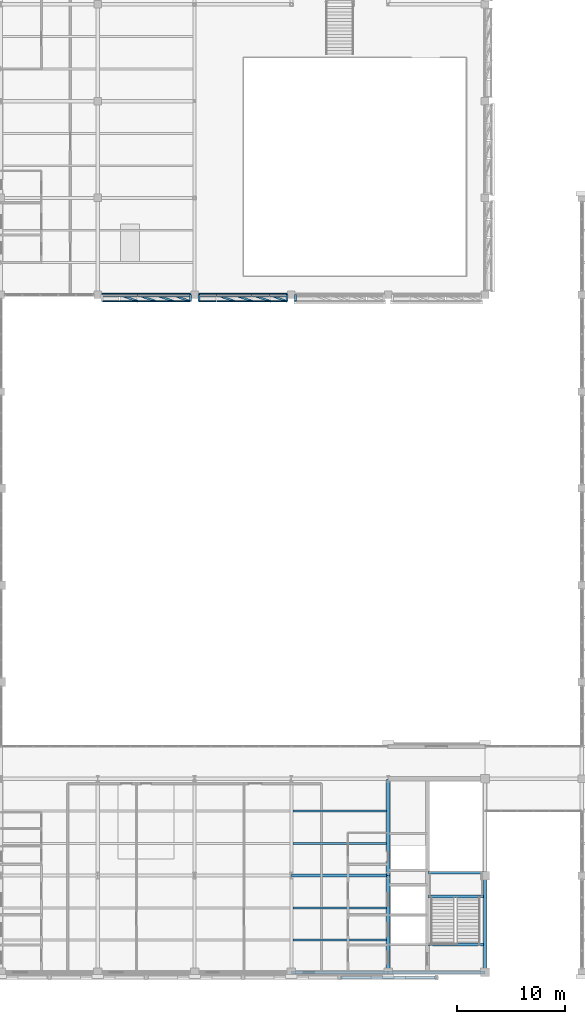
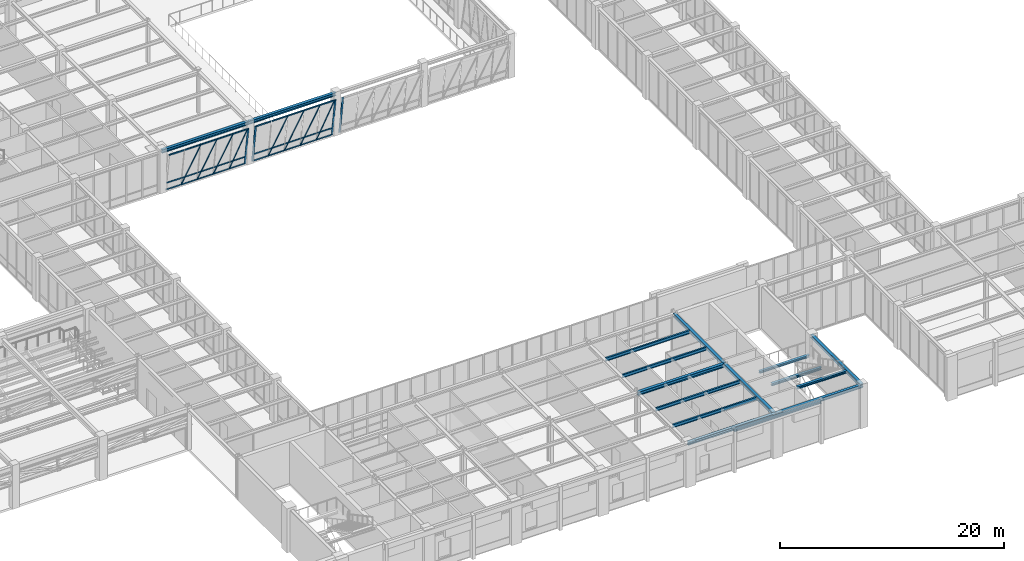
# One storey, part 27 of 92: 42 members, 16 beams, 3 elements without a shape of their own.
"""IFC4 building model written with IfcOpenShell, lengths in metres."""

from ifc_helpers import new_model, si_unit, direction, frame, origin, origin_2d, place, context, subcontext, project, spatial, hollow_rectangle, i_section, extrude, material, material_profile, profile_set, type_object, element, aggregate, save


model = new_model("IFC4")

# Units and contexts
model_context = context("Model", 3, precision=1e-05, world=origin(), true_north=direction((0.0, 1.0)))
body_context = subcontext(model_context, "Body", "Model", "MODEL_VIEW")
ifc_project = project(units=[si_unit("LENGTHUNIT", "METRE"), si_unit("AREAUNIT", "SQUARE_METRE"), si_unit("VOLUMEUNIT", "CUBIC_METRE"), si_unit("PLANEANGLEUNIT", "RADIAN"), si_unit("MASSUNIT", "GRAM", prefix="KILO")], contexts=[model_context])

# Site, building, storey
site_placement = place(None, origin())
site = spatial("IfcSite", under=ifc_project, at=site_placement, CompositionType="ELEMENT")
building_placement = place(site_placement, origin())
building = spatial("IfcBuilding", under=site, at=building_placement, Name="Lykobir Media Centre", CompositionType="ELEMENT")
storey_placement = place(building_placement, frame((0.0, 0.0, 5.39990234375)))
storey = spatial("IfcBuildingStorey", under=building, at=storey_placement, Name="L01", CompositionType="ELEMENT", Elevation=5.39990234375)

# Beams
ifc_material_1 = material(Name="Steel S355", Category="steel")
ifc_material_profile_1 = material_profile(ifc_material_1, i_section(OverallWidth=0.300048828125, OverallDepth=0.35009765625, WebThickness=0.010009765625, FlangeThickness=0.017578125, at=origin_2d()), Name="HEA 360")
ifc_profile_set_1 = profile_set([ifc_material_profile_1], Name="Steel S355")
beam_type_1 = type_object("IfcBeamType", Name="BM-HEA360", PredefinedType="BEAM", material=ifc_profile_set_1)
for number, where, z_axis, x_axis, name in (
    (1, (72.0, 0.0, 4.385009765625), (0.0, 1.0, 0.0), (-1.0, 0.0, 0.0), "Beam BM-L01-0720-0000-0720-0090-978"),
    (2, (72.0, 9.0, 4.385009765625), (0.0, 1.0, 0.0), (-1.0, 0.0, 0.0), "Beam BM-L01-0720-0090-0720-0180-978"),
):
    element("IfcBeam", number, at=place(storey_placement, frame(where, z_axis=z_axis, x_axis=x_axis)), inside=storey, type_object=beam_type_1, Name=name, PredefinedType="BEAM", context=body_context, shape_type="SweptSolid", body=[
        extrude(i_section(OverallWidth=0.300048828125, OverallDepth=0.35009765625, WebThickness=0.010009765625, FlangeThickness=0.017578125, at=origin_2d()), origin(), (0.0, 0.0, 1.0), 9.0),
    ])
ifc_material_profile_2 = material_profile(ifc_material_1, i_section(OverallWidth=0.300048828125, OverallDepth=0.389892578125, WebThickness=0.010986328125, FlangeThickness=0.01904296875, at=origin_2d()), Name="HEA 400")
ifc_profile_set_2 = profile_set([ifc_material_profile_2], Name="Steel S355")
beam_type_2 = type_object("IfcBeamType", Name="BM-HEA400", PredefinedType="BEAM", material=ifc_profile_set_2)
beam_1_placement = place(storey_placement, frame((63.0, 9.0, 4.364990234375), z_axis=(1.0, 0.0, 0.0), x_axis=(0.0, 1.0, 0.0)))
element("IfcBeam", 3, at=beam_1_placement, inside=storey, type_object=beam_type_2, Name="Beam BM-L01-0630-0090-0720-0090-976", PredefinedType="BEAM", context=body_context, shape_type="SweptSolid", body=[
    extrude(i_section(OverallWidth=0.300048828125, OverallDepth=0.389892578125, WebThickness=0.010986328125, FlangeThickness=0.01904296875, at=origin_2d()), origin(), (0.0, 0.0, 1.0), 9.0),
])
ifc_material_profile_3 = material_profile(ifc_material_1, i_section(OverallWidth=0.260009765625, OverallDepth=0.25, WebThickness=0.007568359375, FlangeThickness=0.012451171875, at=origin_2d()), Name="HEA 260")
ifc_profile_set_3 = profile_set([ifc_material_profile_3], Name="Steel S355")
beam_type_3 = type_object("IfcBeamType", Name="BM-ST260", PredefinedType="BEAM", material=ifc_profile_set_3)
beam_2_placement = place(storey_placement, frame((75.72998046875, 9.280029296875, 2.080078125), z_axis=(1.0, 0.0, 0.0), x_axis=(0.0, 1.0, 0.0)))
element("IfcBeam", 4, at=beam_2_placement, inside=storey, type_object=beam_type_3, Name="ST-2 L01 half-landing support beam", PredefinedType="BEAM", context=body_context, shape_type="SweptSolid", body=[
    extrude(i_section(OverallWidth=0.260009765625, OverallDepth=0.25, WebThickness=0.007568359375, FlangeThickness=0.012451171875, at=origin_2d()), origin(), (0.0, 0.0, 1.0), 5.14013671875),
])
ifc_material_profile_4 = material_profile(ifc_material_1, i_section(OverallWidth=0.280029296875, OverallDepth=0.27001953125, WebThickness=0.008056640625, FlangeThickness=0.012939453125, at=origin_2d()), Name="HEA 280")
ifc_profile_set_4 = profile_set([ifc_material_profile_4], Name="Steel S355")
beam_type_4 = type_object("IfcBeamType", Name="BM-ST280", PredefinedType="BEAM", material=ifc_profile_set_4)
for number, where, z_axis, x_axis, name in (
    (5, (75.72998046875, 2.580078125, 4.425048828125), (1.0, 0.0, 0.0), (0.0, 1.0, 0.0), "ST-2 L01 arrival trimmer beam"),
    (6, (75.72998046875, 7.080078125, 2.070068359375), (1.0, 0.0, 0.0), (0.0, 1.0, 0.0), "ST-2 L01 mid-landing trimmer beam"),
):
    element("IfcBeam", number, at=place(storey_placement, frame(where, z_axis=z_axis, x_axis=x_axis)), inside=storey, type_object=beam_type_4, Name=name, PredefinedType="BEAM", context=body_context, shape_type="SweptSolid", body=[
        extrude(i_section(OverallWidth=0.280029296875, OverallDepth=0.27001953125, WebThickness=0.008056640625, FlangeThickness=0.012939453125, at=origin_2d()), origin(), (0.0, 0.0, 1.0), 5.14013671875),
    ])

# Curtain wall, members
ifc_material_2 = material(Name="Anodized Aluminium AW-6060", Category="aluminium")
curtain_wall_type = type_object("IfcCurtainWallType", Name="CW-V6-CR1", PredefinedType="NOTDEFINED", material=ifc_material_2)
curtain_wall_1_placement = place(storey_placement, origin())
curtain_wall_1 = element("IfcCurtainWall", 7, at=curtain_wall_1_placement, inside=storey, type_object=curtain_wall_type, Name="Curtain wall CW2-L01-0054", PredefinedType="NOTDEFINED")
ifc_material_profile_5 = material_profile(ifc_material_2, hollow_rectangle(XDim=0.074951171875, YDim=0.179931640625, WallThickness=0.00390625, at=origin_2d()), Name="ALU MULLION 75x180")
ifc_profile_set_5 = profile_set([ifc_material_profile_5], Name="Anodized Aluminium AW-6060")
member_type_1 = type_object("IfcMemberType", Name="CWM-180", PredefinedType="MULLION", material=ifc_profile_set_5)
member_1_placement = place(storey_placement, frame((47.012939453125, 63.0, 0.0), z_axis=(0.374602604658, -0.132237817099, 0.917706951217), x_axis=(-0.865370560596, 0.305482963792, 0.39725804169)))
member_1 = element("IfcMember", 8, at=member_1_placement, type_object=member_type_1, Name="CW2-L01-0054 mullion 2", PredefinedType="MULLION", context=body_context, shape_type="SweptSolid", body=[
    extrude(hollow_rectangle(XDim=0.074951171875, YDim=0.179931640625, WallThickness=0.00390625, at=origin_2d()), origin(), (0.0, 0.0, 1.0), 4.5712890625),
])
member_2_placement = place(storey_placement, frame((48.6708984375, 63.0, 0.0), z_axis=(0.374602604658, -0.132237817099, 0.917706951217), x_axis=(-0.865370560596, 0.305482963792, 0.39725804169)))
member_2 = element("IfcMember", 9, at=member_2_placement, type_object=member_type_1, Name="CW2-L01-0054 mullion 3", PredefinedType="MULLION", context=body_context, shape_type="SweptSolid", body=[
    extrude(hollow_rectangle(XDim=0.074951171875, YDim=0.179931640625, WallThickness=0.00390625, at=origin_2d()), origin(), (0.0, 0.0, 1.0), 4.5712890625),
])
member_3_placement = place(storey_placement, frame((50.3291015625, 63.0, 0.0), z_axis=(0.374602604658, -0.132237817099, 0.917706951217), x_axis=(-0.865370560596, 0.305482963792, 0.39725804169)))
member_3 = element("IfcMember", 10, at=member_3_placement, type_object=member_type_1, Name="CW2-L01-0054 mullion 4", PredefinedType="MULLION", context=body_context, shape_type="SweptSolid", body=[
    extrude(hollow_rectangle(XDim=0.074951171875, YDim=0.179931640625, WallThickness=0.00390625, at=origin_2d()), origin(), (0.0, 0.0, 1.0), 4.5712890625),
])
member_4_placement = place(storey_placement, frame((51.987060546875, 63.0, 0.0), z_axis=(0.34256027137, -0.133993559544, 0.929891491777), x_axis=(-0.865999136953, 0.338738366998, 0.367833948298)))
member_4 = element("IfcMember", 11, at=member_4_placement, type_object=member_type_1, Name="CW2-L01-0054 mullion 5", PredefinedType="MULLION", context=body_context, shape_type="SweptSolid", body=[
    extrude(hollow_rectangle(XDim=0.074951171875, YDim=0.179931640625, WallThickness=0.00390625, at=origin_2d()), origin(), (0.0, 0.0, 1.0), 4.511474609375),
])
member_5_placement = place(storey_placement, frame((53.607421875, 63.0, 0.0), z_axis=(0.0, -0.142622832142, 0.989777110137), x_axis=(0.0, 0.989777110137, 0.142622832142)))
member_5 = element("IfcMember", 12, at=member_5_placement, type_object=member_type_1, Name="CW2-L01-0054 mullion 6", PredefinedType="MULLION", context=body_context, shape_type="SweptSolid", body=[
    extrude(hollow_rectangle(XDim=0.074951171875, YDim=0.179931640625, WallThickness=0.00390625, at=origin_2d()), origin(), (0.0, 0.0, 1.0), 4.23828125),
])

curtain_wall_2_placement = place(storey_placement, origin())
curtain_wall_2 = element("IfcCurtainWall", 13, at=curtain_wall_2_placement, inside=storey, type_object=curtain_wall_type, Name="Curtain wall CW2-L01-0055", PredefinedType="NOTDEFINED")
member_6_placement = place(storey_placement, frame((54.392578125, 63.0, 0.0), z_axis=(0.0, -0.142622832142, 0.989777110137), x_axis=(0.0, 0.989777110137, 0.142622832142)))
member_6 = element("IfcMember", 14, at=member_6_placement, type_object=member_type_1, Name="CW2-L01-0055 mullion 1", PredefinedType="MULLION", context=body_context, shape_type="SweptSolid", body=[
    extrude(hollow_rectangle(XDim=0.074951171875, YDim=0.179931640625, WallThickness=0.00390625, at=origin_2d()), origin(), (0.0, 0.0, 1.0), 4.23828125),
])
member_7_placement = place(storey_placement, frame((56.012939453125, 63.0, 0.0), z_axis=(0.374602604658, -0.132237817099, 0.917706951217), x_axis=(-0.865370560596, 0.305482963792, 0.39725804169)))
member_7 = element("IfcMember", 15, at=member_7_placement, type_object=member_type_1, Name="CW2-L01-0055 mullion 2", PredefinedType="MULLION", context=body_context, shape_type="SweptSolid", body=[
    extrude(hollow_rectangle(XDim=0.074951171875, YDim=0.179931640625, WallThickness=0.00390625, at=origin_2d()), origin(), (0.0, 0.0, 1.0), 4.5712890625),
])
member_8_placement = place(storey_placement, frame((57.6708984375, 63.0, 0.0), z_axis=(0.374602604658, -0.132237817099, 0.917706951217), x_axis=(-0.865370560596, 0.305482963792, 0.39725804169)))
member_8 = element("IfcMember", 16, at=member_8_placement, type_object=member_type_1, Name="CW2-L01-0055 mullion 3", PredefinedType="MULLION", context=body_context, shape_type="SweptSolid", body=[
    extrude(hollow_rectangle(XDim=0.074951171875, YDim=0.179931640625, WallThickness=0.00390625, at=origin_2d()), origin(), (0.0, 0.0, 1.0), 4.5712890625),
])
member_9_placement = place(storey_placement, frame((59.3291015625, 63.0, 0.0), z_axis=(0.374602604658, -0.132237817099, 0.917706951217), x_axis=(-0.865370560596, 0.305482963792, 0.39725804169)))
member_9 = element("IfcMember", 17, at=member_9_placement, type_object=member_type_1, Name="CW2-L01-0055 mullion 4", PredefinedType="MULLION", context=body_context, shape_type="SweptSolid", body=[
    extrude(hollow_rectangle(XDim=0.074951171875, YDim=0.179931640625, WallThickness=0.00390625, at=origin_2d()), origin(), (0.0, 0.0, 1.0), 4.5712890625),
])
member_10_placement = place(storey_placement, frame((60.987060546875, 63.0, 0.0), z_axis=(0.34256027137, -0.133993559544, 0.929891491777), x_axis=(-0.865999136953, 0.338738366998, 0.367833948298)))
member_10 = element("IfcMember", 18, at=member_10_placement, type_object=member_type_1, Name="CW2-L01-0055 mullion 5", PredefinedType="MULLION", context=body_context, shape_type="SweptSolid", body=[
    extrude(hollow_rectangle(XDim=0.074951171875, YDim=0.179931640625, WallThickness=0.00390625, at=origin_2d()), origin(), (0.0, 0.0, 1.0), 4.511474609375),
])
member_11_placement = place(storey_placement, frame((62.607421875, 63.0, 0.0), z_axis=(0.0, -0.142622832142, 0.989777110137), x_axis=(0.0, 0.989777110137, 0.142622832142)))
member_11 = element("IfcMember", 19, at=member_11_placement, type_object=member_type_1, Name="CW2-L01-0055 mullion 6", PredefinedType="MULLION", context=body_context, shape_type="SweptSolid", body=[
    extrude(hollow_rectangle(XDim=0.074951171875, YDim=0.179931640625, WallThickness=0.00390625, at=origin_2d()), origin(), (0.0, 0.0, 1.0), 4.23828125),
])

# Curtain wall, member
curtain_wall_3_placement = place(storey_placement, origin())
curtain_wall_3 = element("IfcCurtainWall", 20, at=curtain_wall_3_placement, inside=storey, type_object=curtain_wall_type, Name="Curtain wall CW2-L01-0056", PredefinedType="NOTDEFINED")
member_12_placement = place(storey_placement, frame((63.392578125, 63.0, 0.0), z_axis=(0.0, -0.142622832142, 0.989777110137), x_axis=(0.0, 0.989777110137, 0.142622832142)))
member_12 = element("IfcMember", 21, at=member_12_placement, type_object=member_type_1, Name="CW2-L01-0056 mullion 1", PredefinedType="MULLION", context=body_context, shape_type="SweptSolid", body=[
    extrude(hollow_rectangle(XDim=0.074951171875, YDim=0.179931640625, WallThickness=0.00390625, at=origin_2d()), origin(), (0.0, 0.0, 1.0), 4.23828125),
])
aggregate(curtain_wall_3, [member_12])

# Member
ifc_material_profile_6 = material_profile(ifc_material_2, hollow_rectangle(XDim=0.074951171875, YDim=0.14990234375, WallThickness=0.00341796875, at=origin_2d()), Name="ALU TRANSOM 75x150")
ifc_profile_set_6 = profile_set([ifc_material_profile_6], Name="Anodized Aluminium AW-6060")
member_type_2 = type_object("IfcMemberType", Name="CWT-150", PredefinedType="USERDEFINED", material=ifc_profile_set_6)
member_13_placement = place(storey_placement, frame((45.429931640625, 62.99462890625, 0.037109375), z_axis=(1.0, 0.0, 0.0), x_axis=(0.0, 0.989776230908, 0.142628933706)))
member_13 = element("IfcMember", 22, at=member_13_placement, type_object=member_type_2, Name="CW2-L01-0054 transom 1.1", ObjectType="TRANSOM", PredefinedType="USERDEFINED", context=body_context, shape_type="SweptSolid", body=[
    extrude(hollow_rectangle(XDim=0.074951171875, YDim=0.14990234375, WallThickness=0.00341796875, at=origin_2d()), origin(), (0.0, 0.0, 1.0), 1.545654296875),
])

member_14_placement = place(storey_placement, frame((45.429931640625, 62.87890625, 0.84130859375), z_axis=(1.0, 0.0, 0.0), x_axis=(0.0, 0.989776230908, 0.142628933706)))
member_14 = element("IfcMember", 23, at=member_14_placement, type_object=member_type_2, Name="CW2-L01-0054 transom 1.2", ObjectType="TRANSOM", PredefinedType="USERDEFINED", context=body_context, shape_type="SweptSolid", body=[
    extrude(hollow_rectangle(XDim=0.074951171875, YDim=0.14990234375, WallThickness=0.00341796875, at=origin_2d()), origin(), (0.0, 0.0, 1.0), 1.545654296875),
])

member_15_placement = place(storey_placement, frame((45.429931640625, 62.40087890625, 4.157958984375), z_axis=(1.0, 0.0, 0.0), x_axis=(0.0, 0.989776230908, 0.142628933706)))
member_15 = element("IfcMember", 24, at=member_15_placement, type_object=member_type_2, Name="CW2-L01-0054 transom 1.3", ObjectType="TRANSOM", PredefinedType="USERDEFINED", context=body_context, shape_type="SweptSolid", body=[
    extrude(hollow_rectangle(XDim=0.074951171875, YDim=0.14990234375, WallThickness=0.00341796875, at=origin_2d()), origin(), (0.0, 0.0, 1.0), 1.545654296875),
])

member_16_placement = place(storey_placement, frame((47.050537109375, 62.99462890625, 0.037109375), z_axis=(1.0, 0.0, 0.0), x_axis=(0.0, 0.989776230908, 0.142628933706)))
member_16 = element("IfcMember", 25, at=member_16_placement, type_object=member_type_2, Name="CW2-L01-0054 transom 2.1", ObjectType="TRANSOM", PredefinedType="USERDEFINED", context=body_context, shape_type="SweptSolid", body=[
    extrude(hollow_rectangle(XDim=0.074951171875, YDim=0.14990234375, WallThickness=0.00341796875, at=origin_2d()), origin(), (0.0, 0.0, 1.0), 1.5830078125),
])

member_17_placement = place(storey_placement, frame((47.050537109375, 62.87890625, 0.84130859375), z_axis=(1.0, 0.0, 0.0), x_axis=(0.0, 0.989776230908, 0.142628933706)))
member_17 = element("IfcMember", 26, at=member_17_placement, type_object=member_type_2, Name="CW2-L01-0054 transom 2.2", ObjectType="TRANSOM", PredefinedType="USERDEFINED", context=body_context, shape_type="SweptSolid", body=[
    extrude(hollow_rectangle(XDim=0.074951171875, YDim=0.14990234375, WallThickness=0.00341796875, at=origin_2d()), origin(), (0.0, 0.0, 1.0), 1.5830078125),
])

member_18_placement = place(storey_placement, frame((47.050537109375, 62.40087890625, 4.157958984375), z_axis=(1.0, 0.0, 0.0), x_axis=(0.0, 0.989776230908, 0.142628933706)))
member_18 = element("IfcMember", 27, at=member_18_placement, type_object=member_type_2, Name="CW2-L01-0054 transom 2.3", ObjectType="TRANSOM", PredefinedType="USERDEFINED", context=body_context, shape_type="SweptSolid", body=[
    extrude(hollow_rectangle(XDim=0.074951171875, YDim=0.14990234375, WallThickness=0.00341796875, at=origin_2d()), origin(), (0.0, 0.0, 1.0), 1.5830078125),
])

member_19_placement = place(storey_placement, frame((48.70849609375, 62.99462890625, 0.037109375), z_axis=(1.0, 0.0, 0.0), x_axis=(0.0, 0.989776230908, 0.142628933706)))
member_19 = element("IfcMember", 28, at=member_19_placement, type_object=member_type_2, Name="CW2-L01-0054 transom 3.1", ObjectType="TRANSOM", PredefinedType="USERDEFINED", context=body_context, shape_type="SweptSolid", body=[
    extrude(hollow_rectangle(XDim=0.074951171875, YDim=0.14990234375, WallThickness=0.00341796875, at=origin_2d()), origin(), (0.0, 0.0, 1.0), 1.5830078125),
])

member_20_placement = place(storey_placement, frame((48.70849609375, 62.87890625, 0.84130859375), z_axis=(1.0, 0.0, 0.0), x_axis=(0.0, 0.989776230908, 0.142628933706)))
member_20 = element("IfcMember", 29, at=member_20_placement, type_object=member_type_2, Name="CW2-L01-0054 transom 3.2", ObjectType="TRANSOM", PredefinedType="USERDEFINED", context=body_context, shape_type="SweptSolid", body=[
    extrude(hollow_rectangle(XDim=0.074951171875, YDim=0.14990234375, WallThickness=0.00341796875, at=origin_2d()), origin(), (0.0, 0.0, 1.0), 1.5830078125),
])

member_21_placement = place(storey_placement, frame((48.70849609375, 62.40087890625, 4.157958984375), z_axis=(1.0, 0.0, 0.0), x_axis=(0.0, 0.989776230908, 0.142628933706)))
member_21 = element("IfcMember", 30, at=member_21_placement, type_object=member_type_2, Name="CW2-L01-0054 transom 3.3", ObjectType="TRANSOM", PredefinedType="USERDEFINED", context=body_context, shape_type="SweptSolid", body=[
    extrude(hollow_rectangle(XDim=0.074951171875, YDim=0.14990234375, WallThickness=0.00341796875, at=origin_2d()), origin(), (0.0, 0.0, 1.0), 1.5830078125),
])

member_22_placement = place(storey_placement, frame((50.366455078125, 62.99462890625, 0.037109375), z_axis=(1.0, 0.0, 0.0), x_axis=(0.0, 0.989776230908, 0.142628933706)))
member_22 = element("IfcMember", 31, at=member_22_placement, type_object=member_type_2, Name="CW2-L01-0054 transom 4.1", ObjectType="TRANSOM", PredefinedType="USERDEFINED", context=body_context, shape_type="SweptSolid", body=[
    extrude(hollow_rectangle(XDim=0.074951171875, YDim=0.14990234375, WallThickness=0.00341796875, at=origin_2d()), origin(), (0.0, 0.0, 1.0), 1.5830078125),
])

member_23_placement = place(storey_placement, frame((50.366455078125, 62.87890625, 0.84130859375), z_axis=(1.0, 0.0, 0.0), x_axis=(0.0, 0.989776230908, 0.142628933706)))
member_23 = element("IfcMember", 32, at=member_23_placement, type_object=member_type_2, Name="CW2-L01-0054 transom 4.2", ObjectType="TRANSOM", PredefinedType="USERDEFINED", context=body_context, shape_type="SweptSolid", body=[
    extrude(hollow_rectangle(XDim=0.074951171875, YDim=0.14990234375, WallThickness=0.00341796875, at=origin_2d()), origin(), (0.0, 0.0, 1.0), 1.5830078125),
])

member_24_placement = place(storey_placement, frame((50.366455078125, 62.40087890625, 4.157958984375), z_axis=(1.0, 0.0, 0.0), x_axis=(0.0, 0.989776230908, 0.142628933706)))
member_24 = element("IfcMember", 33, at=member_24_placement, type_object=member_type_2, Name="CW2-L01-0054 transom 4.3", ObjectType="TRANSOM", PredefinedType="USERDEFINED", context=body_context, shape_type="SweptSolid", body=[
    extrude(hollow_rectangle(XDim=0.074951171875, YDim=0.14990234375, WallThickness=0.00341796875, at=origin_2d()), origin(), (0.0, 0.0, 1.0), 1.5830078125),
])

member_25_placement = place(storey_placement, frame((52.0244140625, 62.99462890625, 0.037109375), z_axis=(1.0, 0.0, 0.0), x_axis=(0.0, 0.989776230908, 0.142628933706)))
member_25 = element("IfcMember", 34, at=member_25_placement, type_object=member_type_2, Name="CW2-L01-0054 transom 5.1", ObjectType="TRANSOM", PredefinedType="USERDEFINED", context=body_context, shape_type="SweptSolid", body=[
    extrude(hollow_rectangle(XDim=0.074951171875, YDim=0.14990234375, WallThickness=0.00341796875, at=origin_2d()), origin(), (0.0, 0.0, 1.0), 1.545654296875),
])

member_26_placement = place(storey_placement, frame((52.0244140625, 62.87890625, 0.84130859375), z_axis=(1.0, 0.0, 0.0), x_axis=(0.0, 0.989776230908, 0.142628933706)))
member_26 = element("IfcMember", 35, at=member_26_placement, type_object=member_type_2, Name="CW2-L01-0054 transom 5.2", ObjectType="TRANSOM", PredefinedType="USERDEFINED", context=body_context, shape_type="SweptSolid", body=[
    extrude(hollow_rectangle(XDim=0.074951171875, YDim=0.14990234375, WallThickness=0.00341796875, at=origin_2d()), origin(), (0.0, 0.0, 1.0), 1.545654296875),
])

member_27_placement = place(storey_placement, frame((52.0244140625, 62.40087890625, 4.157958984375), z_axis=(1.0, 0.0, 0.0), x_axis=(0.0, 0.989776230908, 0.142628933706)))
member_27 = element("IfcMember", 36, at=member_27_placement, type_object=member_type_2, Name="CW2-L01-0054 transom 5.3", ObjectType="TRANSOM", PredefinedType="USERDEFINED", context=body_context, shape_type="SweptSolid", body=[
    extrude(hollow_rectangle(XDim=0.074951171875, YDim=0.14990234375, WallThickness=0.00341796875, at=origin_2d()), origin(), (0.0, 0.0, 1.0), 1.545654296875),
])

aggregate(curtain_wall_1, [member_1, member_2, member_3, member_4, member_5, member_13, member_14, member_15, member_16, member_17, member_18, member_19, member_20, member_21, member_22, member_23, member_24, member_25, member_26, member_27])

member_28_placement = place(storey_placement, frame((54.429931640625, 62.99462890625, 0.037109375), z_axis=(1.0, 0.0, 0.0), x_axis=(0.0, 0.989776230908, 0.142628933706)))
member_28 = element("IfcMember", 37, at=member_28_placement, type_object=member_type_2, Name="CW2-L01-0055 transom 1.1", ObjectType="TRANSOM", PredefinedType="USERDEFINED", context=body_context, shape_type="SweptSolid", body=[
    extrude(hollow_rectangle(XDim=0.074951171875, YDim=0.14990234375, WallThickness=0.00341796875, at=origin_2d()), origin(), (0.0, 0.0, 1.0), 1.545654296875),
])

member_29_placement = place(storey_placement, frame((54.429931640625, 62.87890625, 0.84130859375), z_axis=(1.0, 0.0, 0.0), x_axis=(0.0, 0.989776230908, 0.142628933706)))
member_29 = element("IfcMember", 38, at=member_29_placement, type_object=member_type_2, Name="CW2-L01-0055 transom 1.2", ObjectType="TRANSOM", PredefinedType="USERDEFINED", context=body_context, shape_type="SweptSolid", body=[
    extrude(hollow_rectangle(XDim=0.074951171875, YDim=0.14990234375, WallThickness=0.00341796875, at=origin_2d()), origin(), (0.0, 0.0, 1.0), 1.545654296875),
])

member_30_placement = place(storey_placement, frame((54.429931640625, 62.40087890625, 4.157958984375), z_axis=(1.0, 0.0, 0.0), x_axis=(0.0, 0.989776230908, 0.142628933706)))
member_30 = element("IfcMember", 39, at=member_30_placement, type_object=member_type_2, Name="CW2-L01-0055 transom 1.3", ObjectType="TRANSOM", PredefinedType="USERDEFINED", context=body_context, shape_type="SweptSolid", body=[
    extrude(hollow_rectangle(XDim=0.074951171875, YDim=0.14990234375, WallThickness=0.00341796875, at=origin_2d()), origin(), (0.0, 0.0, 1.0), 1.545654296875),
])

member_31_placement = place(storey_placement, frame((56.050537109375, 62.99462890625, 0.037109375), z_axis=(1.0, 0.0, 0.0), x_axis=(0.0, 0.989776230908, 0.142628933706)))
member_31 = element("IfcMember", 40, at=member_31_placement, type_object=member_type_2, Name="CW2-L01-0055 transom 2.1", ObjectType="TRANSOM", PredefinedType="USERDEFINED", context=body_context, shape_type="SweptSolid", body=[
    extrude(hollow_rectangle(XDim=0.074951171875, YDim=0.14990234375, WallThickness=0.00341796875, at=origin_2d()), origin(), (0.0, 0.0, 1.0), 1.5830078125),
])

member_32_placement = place(storey_placement, frame((56.050537109375, 62.87890625, 0.84130859375), z_axis=(1.0, 0.0, 0.0), x_axis=(0.0, 0.989776230908, 0.142628933706)))
member_32 = element("IfcMember", 41, at=member_32_placement, type_object=member_type_2, Name="CW2-L01-0055 transom 2.2", ObjectType="TRANSOM", PredefinedType="USERDEFINED", context=body_context, shape_type="SweptSolid", body=[
    extrude(hollow_rectangle(XDim=0.074951171875, YDim=0.14990234375, WallThickness=0.00341796875, at=origin_2d()), origin(), (0.0, 0.0, 1.0), 1.5830078125),
])

member_33_placement = place(storey_placement, frame((56.050537109375, 62.40087890625, 4.157958984375), z_axis=(1.0, 0.0, 0.0), x_axis=(0.0, 0.989776230908, 0.142628933706)))
member_33 = element("IfcMember", 42, at=member_33_placement, type_object=member_type_2, Name="CW2-L01-0055 transom 2.3", ObjectType="TRANSOM", PredefinedType="USERDEFINED", context=body_context, shape_type="SweptSolid", body=[
    extrude(hollow_rectangle(XDim=0.074951171875, YDim=0.14990234375, WallThickness=0.00341796875, at=origin_2d()), origin(), (0.0, 0.0, 1.0), 1.5830078125),
])

member_34_placement = place(storey_placement, frame((57.70849609375, 62.99462890625, 0.037109375), z_axis=(1.0, 0.0, 0.0), x_axis=(0.0, 0.989776230908, 0.142628933706)))
member_34 = element("IfcMember", 43, at=member_34_placement, type_object=member_type_2, Name="CW2-L01-0055 transom 3.1", ObjectType="TRANSOM", PredefinedType="USERDEFINED", context=body_context, shape_type="SweptSolid", body=[
    extrude(hollow_rectangle(XDim=0.074951171875, YDim=0.14990234375, WallThickness=0.00341796875, at=origin_2d()), origin(), (0.0, 0.0, 1.0), 1.5830078125),
])

member_35_placement = place(storey_placement, frame((57.70849609375, 62.87890625, 0.84130859375), z_axis=(1.0, 0.0, 0.0), x_axis=(0.0, 0.989776230908, 0.142628933706)))
member_35 = element("IfcMember", 44, at=member_35_placement, type_object=member_type_2, Name="CW2-L01-0055 transom 3.2", ObjectType="TRANSOM", PredefinedType="USERDEFINED", context=body_context, shape_type="SweptSolid", body=[
    extrude(hollow_rectangle(XDim=0.074951171875, YDim=0.14990234375, WallThickness=0.00341796875, at=origin_2d()), origin(), (0.0, 0.0, 1.0), 1.5830078125),
])

member_36_placement = place(storey_placement, frame((57.70849609375, 62.40087890625, 4.157958984375), z_axis=(1.0, 0.0, 0.0), x_axis=(0.0, 0.989776230908, 0.142628933706)))
member_36 = element("IfcMember", 45, at=member_36_placement, type_object=member_type_2, Name="CW2-L01-0055 transom 3.3", ObjectType="TRANSOM", PredefinedType="USERDEFINED", context=body_context, shape_type="SweptSolid", body=[
    extrude(hollow_rectangle(XDim=0.074951171875, YDim=0.14990234375, WallThickness=0.00341796875, at=origin_2d()), origin(), (0.0, 0.0, 1.0), 1.5830078125),
])

member_37_placement = place(storey_placement, frame((59.366455078125, 62.99462890625, 0.037109375), z_axis=(1.0, 0.0, 0.0), x_axis=(0.0, 0.989776230908, 0.142628933706)))
member_37 = element("IfcMember", 46, at=member_37_placement, type_object=member_type_2, Name="CW2-L01-0055 transom 4.1", ObjectType="TRANSOM", PredefinedType="USERDEFINED", context=body_context, shape_type="SweptSolid", body=[
    extrude(hollow_rectangle(XDim=0.074951171875, YDim=0.14990234375, WallThickness=0.00341796875, at=origin_2d()), origin(), (0.0, 0.0, 1.0), 1.5830078125),
])

member_38_placement = place(storey_placement, frame((59.366455078125, 62.87890625, 0.84130859375), z_axis=(1.0, 0.0, 0.0), x_axis=(0.0, 0.989776230908, 0.142628933706)))
member_38 = element("IfcMember", 47, at=member_38_placement, type_object=member_type_2, Name="CW2-L01-0055 transom 4.2", ObjectType="TRANSOM", PredefinedType="USERDEFINED", context=body_context, shape_type="SweptSolid", body=[
    extrude(hollow_rectangle(XDim=0.074951171875, YDim=0.14990234375, WallThickness=0.00341796875, at=origin_2d()), origin(), (0.0, 0.0, 1.0), 1.5830078125),
])

member_39_placement = place(storey_placement, frame((59.366455078125, 62.40087890625, 4.157958984375), z_axis=(1.0, 0.0, 0.0), x_axis=(0.0, 0.989776230908, 0.142628933706)))
member_39 = element("IfcMember", 48, at=member_39_placement, type_object=member_type_2, Name="CW2-L01-0055 transom 4.3", ObjectType="TRANSOM", PredefinedType="USERDEFINED", context=body_context, shape_type="SweptSolid", body=[
    extrude(hollow_rectangle(XDim=0.074951171875, YDim=0.14990234375, WallThickness=0.00341796875, at=origin_2d()), origin(), (0.0, 0.0, 1.0), 1.5830078125),
])

member_40_placement = place(storey_placement, frame((61.0244140625, 62.99462890625, 0.037109375), z_axis=(1.0, 0.0, 0.0), x_axis=(0.0, 0.989776230908, 0.142628933706)))
member_40 = element("IfcMember", 49, at=member_40_placement, type_object=member_type_2, Name="CW2-L01-0055 transom 5.1", ObjectType="TRANSOM", PredefinedType="USERDEFINED", context=body_context, shape_type="SweptSolid", body=[
    extrude(hollow_rectangle(XDim=0.074951171875, YDim=0.14990234375, WallThickness=0.00341796875, at=origin_2d()), origin(), (0.0, 0.0, 1.0), 1.545654296875),
])

member_41_placement = place(storey_placement, frame((61.0244140625, 62.87890625, 0.84130859375), z_axis=(1.0, 0.0, 0.0), x_axis=(0.0, 0.989776230908, 0.142628933706)))
member_41 = element("IfcMember", 50, at=member_41_placement, type_object=member_type_2, Name="CW2-L01-0055 transom 5.2", ObjectType="TRANSOM", PredefinedType="USERDEFINED", context=body_context, shape_type="SweptSolid", body=[
    extrude(hollow_rectangle(XDim=0.074951171875, YDim=0.14990234375, WallThickness=0.00341796875, at=origin_2d()), origin(), (0.0, 0.0, 1.0), 1.545654296875),
])

member_42_placement = place(storey_placement, frame((61.0244140625, 62.40087890625, 4.157958984375), z_axis=(1.0, 0.0, 0.0), x_axis=(0.0, 0.989776230908, 0.142628933706)))
member_42 = element("IfcMember", 51, at=member_42_placement, type_object=member_type_2, Name="CW2-L01-0055 transom 5.3", ObjectType="TRANSOM", PredefinedType="USERDEFINED", context=body_context, shape_type="SweptSolid", body=[
    extrude(hollow_rectangle(XDim=0.074951171875, YDim=0.14990234375, WallThickness=0.00341796875, at=origin_2d()), origin(), (0.0, 0.0, 1.0), 1.545654296875),
])

aggregate(curtain_wall_2, [member_6, member_7, member_8, member_9, member_10, member_11, member_28, member_29, member_30, member_31, member_32, member_33, member_34, member_35, member_36, member_37, member_38, member_39, member_40, member_41, member_42])

# Beams
ifc_material_profile_7 = material_profile(ifc_material_1, i_section(OverallWidth=0.169921875, OverallDepth=0.360107421875, WebThickness=0.008056640625, FlangeThickness=0.0126953125, at=origin_2d()), Name="IPE 360")
ifc_profile_set_7 = profile_set([ifc_material_profile_7], Name="Steel S355")
beam_type_5 = type_object("IfcBeamType", Name="JS-IPE360", PredefinedType="JOIST", material=ifc_profile_set_7)
for number, where, z_axis, x_axis, name in (
    (52, (63.14990234375, 3.0, 4.380126953125), (1.0, 0.0, 0.0), (0.0, 1.0, 0.0), "Beam BM-L01-0632-0030-0718-0030-978"),
    (53, (63.14990234375, 6.0, 4.380126953125), (1.0, 0.0, 0.0), (0.0, 1.0, 0.0), "Beam BM-L01-0632-0060-0718-0060-978"),
    (54, (63.14990234375, 12.0, 4.380126953125), (1.0, 0.0, 0.0), (0.0, 1.0, 0.0), "Beam BM-L01-0632-0120-0718-0120-978"),
    (55, (63.14990234375, 15.0, 4.380126953125), (1.0, 0.0, 0.0), (0.0, 1.0, 0.0), "Beam BM-L01-0632-0150-0718-0150-978"),
):
    element("IfcBeam", number, at=place(storey_placement, frame(where, z_axis=z_axis, x_axis=x_axis)), inside=storey, type_object=beam_type_5, Name=name, PredefinedType="JOIST", context=body_context, shape_type="SweptSolid", body=[
        extrude(i_section(OverallWidth=0.169921875, OverallDepth=0.360107421875, WebThickness=0.008056640625, FlangeThickness=0.0126953125, at=origin_2d()), origin(), (0.0, 0.0, 1.0), 8.7001953125),
    ])
ifc_material_profile_8 = material_profile(ifc_material_1, i_section(OverallWidth=0.239990234375, OverallDepth=0.22998046875, WebThickness=0.007568359375, FlangeThickness=0.011962890625, at=origin_2d()), Name="HEA 240")
ifc_profile_set_8 = profile_set([ifc_material_profile_8], Name="Steel S355")
beam_type_6 = type_object("IfcBeamType", Name="SP-HEA240-E", PredefinedType="SPANDREL", material=ifc_profile_set_8)
beam_3_placement = place(storey_placement, frame((67.5, -0.47998046875, 4.4951171875), z_axis=(1.0, 0.0, 0.0), x_axis=(0.0, 1.0, 0.0)))
element("IfcBeam", 56, at=beam_3_placement, inside=storey, type_object=beam_type_6, Name="Beam BM-L01-0675--005-0765--005-990", PredefinedType="SPANDREL", context=body_context, shape_type="SweptSolid", body=[
    extrude(i_section(OverallWidth=0.239990234375, OverallDepth=0.22998046875, WebThickness=0.007568359375, FlangeThickness=0.011962890625, at=origin_2d()), origin(), (0.0, 0.0, 1.0), 9.0),
])
ifc_material_profile_9 = material_profile(ifc_material_1, i_section(OverallWidth=0.300048828125, OverallDepth=0.35009765625, WebThickness=0.010009765625, FlangeThickness=0.017578125, at=origin_2d()), Name="HEA 360")
ifc_profile_set_9 = profile_set([ifc_material_profile_9], Name="Steel S355")
beam_type_7 = type_object("IfcBeamType", Name="SP-HEA360", PredefinedType="SPANDREL", material=ifc_profile_set_9)
for number, where, z_axis, x_axis, name in (
    (57, (45.0, 63.0, 4.385009765625), (1.0, 0.0, 0.0), (0.0, 1.0, 0.0), "Beam BM-L01-0450-0630-0540-0630-978"),
    (58, (54.0, 63.0, 4.385009765625), (1.0, 0.0, 0.0), (0.0, 1.0, 0.0), "Beam BM-L01-0540-0630-0630-0630-978"),
):
    element("IfcBeam", number, at=place(storey_placement, frame(where, z_axis=z_axis, x_axis=x_axis)), inside=storey, type_object=beam_type_7, Name=name, PredefinedType="SPANDREL", context=body_context, shape_type="SweptSolid", body=[
        extrude(i_section(OverallWidth=0.300048828125, OverallDepth=0.35009765625, WebThickness=0.010009765625, FlangeThickness=0.017578125, at=origin_2d()), origin(), (0.0, 0.0, 1.0), 9.0),
    ])
ifc_material_profile_10 = material_profile(ifc_material_1, i_section(OverallWidth=0.300048828125, OverallDepth=0.35009765625, WebThickness=0.010009765625, FlangeThickness=0.017578125, at=origin_2d()), Name="HEA 360")
ifc_profile_set_10 = profile_set([ifc_material_profile_10], Name="Steel S355")
beam_type_8 = type_object("IfcBeamType", Name="SP-HEA360-E", PredefinedType="SPANDREL", material=ifc_profile_set_10)
for number, where, z_axis, x_axis, name in (
    (59, (63.0, 0.0, 4.385009765625), (1.0, 0.0, 0.0), (0.0, 1.0, 0.0), "Beam BM-L01-0630-0000-0720-0000-978"),
    (60, (72.0, 0.0, 4.385009765625), (1.0, 0.0, 0.0), (0.0, 1.0, 0.0), "Beam BM-L01-0720-0000-0810-0000-978"),
    (61, (81.0, 0.0, 4.385009765625), (0.0, 1.0, 0.0), (-1.0, 0.0, 0.0), "Beam BM-L01-0810-0000-0810-0090-978"),
):
    element("IfcBeam", number, at=place(storey_placement, frame(where, z_axis=z_axis, x_axis=x_axis)), inside=storey, type_object=beam_type_8, Name=name, PredefinedType="SPANDREL", context=body_context, shape_type="SweptSolid", body=[
        extrude(i_section(OverallWidth=0.300048828125, OverallDepth=0.35009765625, WebThickness=0.010009765625, FlangeThickness=0.017578125, at=origin_2d()), origin(), (0.0, 0.0, 1.0), 9.0),
    ])

save(model, "model.ifc")
